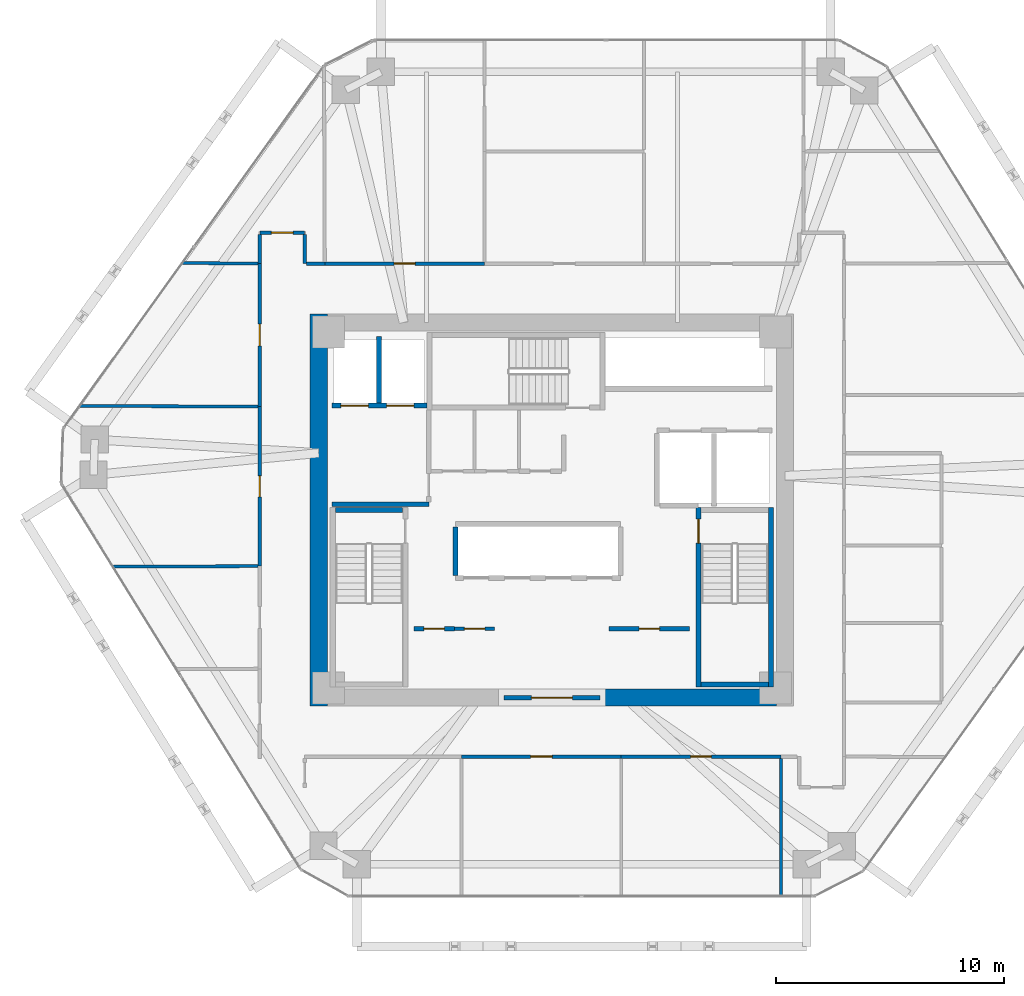
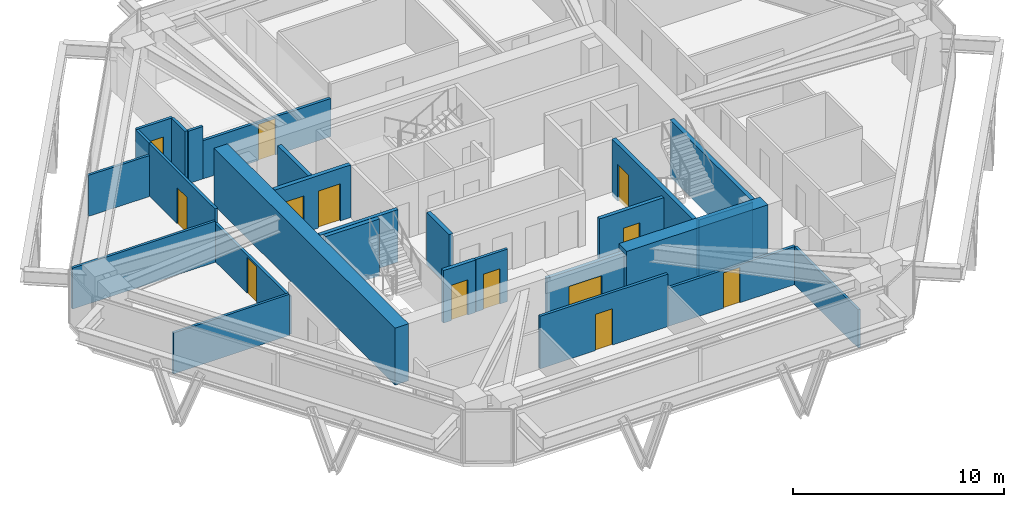
# One storey, part 10 of 14: 27 walls, 13 doors, 13 openings.
"""IFC4 building model written with IfcOpenShell, lengths in metres."""

from ifc_helpers import new_model, si_unit, direction, frame, frame_2d, origin, place, context, subcontext, project, spatial, rectangle, extrude, source, transform, mapped, material, layer, layer_set, type_object, type_shapes, element, fill, save


model = new_model("IFC4")

# Units and contexts
model_context = context("Model", 3, precision=1e-05, world=origin(), true_north=direction((0.0, 1.0)))
body_context = subcontext(model_context, "Body", "Model", "MODEL_VIEW")
ifc_project = project(units=[si_unit("LENGTHUNIT", "METRE"), si_unit("AREAUNIT", "SQUARE_METRE"), si_unit("VOLUMEUNIT", "CUBIC_METRE"), si_unit("PLANEANGLEUNIT", "RADIAN"), si_unit("MASSUNIT", "GRAM", prefix="KILO")], contexts=[model_context])

# Site, building, storey
site_placement = place(None, origin())
site = spatial("IfcSite", under=ifc_project, at=site_placement, CompositionType="ELEMENT")
building_placement = place(site_placement, origin())
building = spatial("IfcBuilding", under=site, at=building_placement, Name="Durnholm Broadcast Tower", CompositionType="ELEMENT")
storey_placement = place(building_placement, frame((0.0, 0.0, 107.39990234375)))
storey = spatial("IfcBuildingStorey", under=building, at=storey_placement, Name="L28", CompositionType="ELEMENT", Elevation=107.39990234375)

# Walls
ifc_material_1 = material(Name="Concrete C70/85", Category="concrete")
ifc_layer_1 = layer(ifc_material_1, 0.75)
ifc_layer_set_1 = layer_set([ifc_layer_1], Name="Concrete C70/85")
wall_type_1 = type_object("IfcWallType", Name="WALL-CW-750", PredefinedType="SHEAR", material=ifc_layer_set_1)
wall_1_placement = place(storey_placement, frame((-10.22509765625, -8.60009765625, 0.0), z_axis=(0.0, 0.0, 1.0), x_axis=(0.0, 1.0, 0.0)))
element("IfcWall", 1, at=wall_1_placement, inside=storey, type_object=wall_type_1, Name="L28 central core shear wall CW-WEST", PredefinedType="SHEAR", context=body_context, shape_type="SweptSolid", body=[
    extrude(rectangle(XDim=17.2001953125, YDim=0.75, at=frame_2d((8.60009765625, 0.0))), origin(), (0.0, 0.0, 1.0), 3.300048828125),
])
wall_2_placement = place(storey_placement, frame((2.10009765625, -8.22509765625, 0.0), z_axis=(0.0, 0.0, 1.0), x_axis=(1.0, 0.0, 0.0)))
element("IfcWall", 2, at=wall_2_placement, inside=storey, type_object=wall_type_1, Name="L28 central core shear wall CW-S2", PredefinedType="SHEAR", context=body_context, shape_type="SweptSolid", body=[
    extrude(rectangle(XDim=7.75, YDim=0.75, at=frame_2d((3.875, 0.0))), origin(), (0.0, 0.0, 1.0), 3.300048828125),
])

# Wall, opening, door
ifc_material_2 = material(Name="Fire-Rated Gypsum Shaftwall", Category="concrete")
ifc_layer_2 = layer(ifc_material_2, 0.199951171875)
ifc_layer_set_2 = layer_set([ifc_layer_2], Name="Fire-Rated Gypsum Shaftwall")
wall_type_2 = type_object("IfcWallType", Name="WALL-LOB-200", PredefinedType="SOLIDWALL", material=ifc_layer_set_2)
wall_3_placement = place(storey_placement, frame((-2.10009765625, -8.22509765625, 0.0), z_axis=(0.0, 0.0, 1.0), x_axis=(1.0, 0.0, 0.0)))
wall_3 = element("IfcWall", 3, at=wall_3_placement, inside=storey, type_object=wall_type_2, Name="L28 south core lobby fire screen", PredefinedType="SOLIDWALL", context=body_context, shape_type="SweptSolid", body=[
    extrude(rectangle(XDim=4.2001953125, YDim=0.199951171875, at=frame_2d((2.10009765625, 0.0))), origin(), (0.0, 0.0, 1.0), 3.045166015625),
])
opening_1_placement = place(wall_3_placement, frame((1.199951171875, 0.0, 0.0)))
opening_1 = element("IfcOpeningElement", 4, at=opening_1_placement, cuts=wall_3, Name="Opening DP-60", PredefinedType="OPENING", context=body_context, shape_type="SweptSolid", body=[
    extrude(rectangle(XDim=1.800048828125, YDim=2.14990234375, at=frame_2d((0.89990234375, 1.074951171875))), frame((0.0, 0.10986328125, 0.0), z_axis=(0.0, -1.0, 0.0), x_axis=(1.0, 0.0, 0.0)), (0.0, 0.0, 1.0), 0.219970703125),
])
ifc_material_3 = material(Name="Fire-Rated Double Corridor Door", Category="steel")
ifc_layer_3 = layer(ifc_material_3, 0.050048828125)
ifc_layer_set_3 = layer_set([ifc_layer_3], Name="Fire-Rated Double Corridor Door")
door_type_1 = type_object("IfcDoorType", Name="DOOR-PAIR-FD60", OperationType="DOUBLE_DOOR_SINGLE_SWING", PredefinedType="DOOR", material=ifc_layer_set_3)
shared_shape_1 = source(origin(), body_context, "Body", "SweptSolid", [
    extrude(rectangle(XDim=1.800048828125, YDim=2.14990234375, at=frame_2d((0.89990234375, 1.074951171875))), frame((0.0, 0.02490234375, 0.0), z_axis=(0.0, -1.0, 0.0), x_axis=(1.0, 0.0, 0.0)), (0.0, 0.0, 1.0), 0.050048828125),
])
type_shapes(door_type_1, [shared_shape_1])
door_1_placement = place(opening_1_placement, origin())
door_1 = element("IfcDoor", 5, at=door_1_placement, inside=storey, type_object=door_type_1, Name="L28 south core lobby double fire door", OperationType="DOUBLE_DOOR_SINGLE_SWING", OverallHeight=2.14990234375, OverallWidth=1.800048828125, PredefinedType="DOOR", context=body_context, shape_type="MappedRepresentation", body=[
    mapped(shared_shape_1, transform((0.0, 0.0, 0.0), x_axis=(1.0, 0.0, 0.0), y_axis=(0.0, 1.0, 0.0), z_axis=(0.0, 0.0, 1.0), scale=1.0)),
])
fill(opening_1, door_1)

# Wall
wall_4_placement = place(storey_placement, frame((-9.64990234375, 0.25, 0.0), z_axis=(0.0, 0.0, 1.0), x_axis=(1.0, 0.0, 0.0)))
element("IfcWall", 6, at=wall_4_placement, inside=storey, type_object=wall_type_2, Name="L28 Fire Service Access Elevator lobby south wall", PredefinedType="SOLIDWALL", context=body_context, shape_type="SweptSolid", body=[
    extrude(rectangle(XDim=4.27001953125, YDim=0.199951171875, at=frame_2d((2.135009765625, 0.0))), origin(), (0.0, 0.0, 1.0), 3.045166015625),
])

# Wall, opening, door
wall_5_placement = place(storey_placement, frame((-6.0400390625, -5.2099609375, 0.0), z_axis=(0.0, 0.0, 1.0), x_axis=(1.0, 0.0, 0.0)))
wall_5 = element("IfcWall", 7, at=wall_5_placement, inside=storey, type_object=wall_type_2, Name="L28 Media Fiber Patch Room corridor partition", PredefinedType="SOLIDWALL", context=body_context, shape_type="SweptSolid", body=[
    extrude(rectangle(XDim=1.760009765625, YDim=0.199951171875, at=frame_2d((0.8798828125, 0.0))), origin(), (0.0, 0.0, 1.0), 3.045166015625),
])
opening_2_placement = place(wall_5_placement, frame((0.429931640625, 0.0, 0.0)))
opening_2 = element("IfcOpeningElement", 8, at=opening_2_placement, cuts=wall_5, Name="Opening DC-60R", PredefinedType="OPENING", context=body_context, shape_type="SweptSolid", body=[
    extrude(rectangle(XDim=0.89990234375, YDim=2.050048828125, at=frame_2d((0.449951171875, 1.02490234375))), frame((0.0, 0.10986328125, 0.0), z_axis=(0.0, -1.0, 0.0), x_axis=(1.0, 0.0, 0.0)), (0.0, 0.0, 1.0), 0.219970703125),
])
ifc_material_4 = material(Name="Fire-Rated Core Service Door", Category="steel")
ifc_layer_4 = layer(ifc_material_4, 0.050048828125)
ifc_layer_set_4 = layer_set([ifc_layer_4], Name="Fire-Rated Core Service Door")
door_type_2 = type_object("IfcDoorType", Name="DOOR-CORE-FD60-R", OperationType="NOTDEFINED", PredefinedType="DOOR", material=ifc_layer_set_4)
shared_shape_2 = source(origin(), body_context, "Body", "SweptSolid", [
    extrude(rectangle(XDim=0.89990234375, YDim=2.050048828125, at=frame_2d((0.449951171875, 1.02490234375))), frame((0.0, 0.02490234375, 0.0), z_axis=(0.0, -1.0, 0.0), x_axis=(1.0, 0.0, 0.0)), (0.0, 0.0, 1.0), 0.050048828125),
])
type_shapes(door_type_2, [shared_shape_2])
door_2_placement = place(opening_2_placement, origin())
door_2 = element("IfcDoor", 9, at=door_2_placement, inside=storey, type_object=door_type_2, Name="L28 Media Fiber Patch Room entrance door", OperationType="SINGLE_SWING_RIGHT", OverallHeight=2.050048828125, OverallWidth=0.89990234375, PredefinedType="DOOR", context=body_context, shape_type="MappedRepresentation", body=[
    mapped(shared_shape_2, transform((0.0, 0.0, 0.0), x_axis=(1.0, 0.0, 0.0), y_axis=(0.0, 1.0, 0.0), z_axis=(0.0, 0.0, 1.0), scale=1.0)),
])
fill(opening_2, door_2)

wall_6_placement = place(storey_placement, frame((2.510009765625, -5.2099609375, 0.0), z_axis=(0.0, 0.0, 1.0), x_axis=(1.0, 0.0, 0.0)))
wall_6 = element("IfcWall", 10, at=wall_6_placement, inside=storey, type_object=wall_type_2, Name="L28 Telemetry Control Closet corridor partition", PredefinedType="SOLIDWALL", context=body_context, shape_type="SweptSolid", body=[
    extrude(rectangle(XDim=3.530029296875, YDim=0.199951171875, at=frame_2d((1.76513671875, 0.0))), origin(), (0.0, 0.0, 1.0), 3.045166015625),
])
opening_3_placement = place(wall_6_placement, frame((1.31494140625, 0.0, 0.0)))
opening_3 = element("IfcOpeningElement", 11, at=opening_3_placement, cuts=wall_6, Name="Opening DC-60R", PredefinedType="OPENING", context=body_context, shape_type="SweptSolid", body=[
    extrude(rectangle(XDim=0.89990234375, YDim=2.050048828125, at=frame_2d((0.449951171875, 1.02490234375))), frame((0.0, 0.10986328125, 0.0), z_axis=(0.0, -1.0, 0.0), x_axis=(1.0, 0.0, 0.0)), (0.0, 0.0, 1.0), 0.219970703125),
])
door_3_placement = place(opening_3_placement, origin())
door_3 = element("IfcDoor", 12, at=door_3_placement, inside=storey, type_object=door_type_2, Name="L28 Telemetry Control Closet entrance door", OperationType="SINGLE_SWING_RIGHT", OverallHeight=2.050048828125, OverallWidth=0.89990234375, PredefinedType="DOOR", context=body_context, shape_type="MappedRepresentation", body=[
    mapped(shared_shape_2, transform((0.0, 0.0, 0.0), x_axis=(1.0, 0.0, 0.0), y_axis=(0.0, 1.0, 0.0), z_axis=(0.0, 0.0, 1.0), scale=1.0)),
])
fill(opening_3, door_3)

# Walls
ifc_material_5 = material(Name="Gypsum Metal Stud Partition", Category="concrete")
ifc_layer_5 = layer(ifc_material_5, 0.135009765625)
ifc_layer_set_5 = layer_set([ifc_layer_5], Name="Gypsum Metal Stud Partition")
wall_type_3 = type_object("IfcWallType", Name="WALL-PART-135", PredefinedType="PARTITIONING", material=ifc_layer_set_5)
wall_7_placement = place(storey_placement, frame((-12.888916015625, 10.810546875, 0.0), z_axis=(0.0, 0.0, 1.0), x_axis=(-0.999976657862, 0.006832549348, 0.0)))
element("IfcWall", 13, at=wall_7_placement, inside=storey, type_object=wall_type_3, Name="L28 room dividing partition 10.24", PredefinedType="PARTITIONING", context=body_context, shape_type="SweptSolid", body=[
    extrude(rectangle(XDim=3.322998046875, YDim=0.135009765625, at=frame_2d((1.66162109375, 0.0))), origin(), (0.0, 0.0, 1.0), 2.380126953125),
])
wall_8_placement = place(storey_placement, frame((10.0400390625, -10.888916015625, 0.0), z_axis=(0.0, 0.0, 1.0), x_axis=(0.0, -1.0, 0.0)))
element("IfcWall", 14, at=wall_8_placement, inside=storey, type_object=wall_type_3, Name="L28 room dividing partition 19.20", PredefinedType="PARTITIONING", context=body_context, shape_type="SweptSolid", body=[
    extrude(rectangle(XDim=6.048095703125, YDim=0.135009765625, at=frame_2d((3.02392578125, 0.0))), origin(), (0.0, 0.0, 1.0), 2.212158203125),
])
wall_9_placement = place(storey_placement, frame((-19.255126953125, -2.481201171875, 0.0), z_axis=(0.0, 0.0, 1.0), x_axis=(0.999994561471, 0.003298033912, 0.0)))
element("IfcWall", 15, at=wall_9_placement, inside=storey, type_object=wall_type_3, Name="L28 room dividing partition 22.23", PredefinedType="PARTITIONING", context=body_context, shape_type="SweptSolid", body=[
    extrude(rectangle(XDim=6.3662109375, YDim=0.135009765625, at=frame_2d((3.18310546875, 0.0))), origin(), (0.0, 0.0, 1.0), 2.380126953125),
])
wall_10_placement = place(storey_placement, frame((-20.71630859375, 4.563232421875, 0.0), z_axis=(0.0, 0.0, 1.0), x_axis=(0.999995701977, -0.002931898443, 0.0)))
element("IfcWall", 16, at=wall_10_placement, inside=storey, type_object=wall_type_3, Name="L28 room dividing partition 23.24", PredefinedType="PARTITIONING", context=body_context, shape_type="SweptSolid", body=[
    extrude(rectangle(XDim=7.827392578125, YDim=0.135009765625, at=frame_2d((3.91357421875, 0.0))), origin(), (0.0, 0.0, 1.0), 2.380126953125),
])

# Wall, opening, door
ifc_material_6 = material(Name="Acoustic Gypsum Stud Partition", Category="concrete")
ifc_layer_6 = layer(ifc_material_6, 0.14990234375)
ifc_layer_set_6 = layer_set([ifc_layer_6], Name="Acoustic Gypsum Stud Partition")
wall_type_4 = type_object("IfcWallType", Name="WALL-PART-150", PredefinedType="PARTITIONING", material=ifc_layer_set_6)
wall_11_placement = place(storey_placement, frame((-4.260009765625, -5.2099609375, 0.0), z_axis=(0.0, 0.0, 1.0), x_axis=(1.0, 0.0, 0.0)))
wall_11 = element("IfcWall", 17, at=wall_11_placement, inside=storey, type_object=wall_type_4, Name="L28 Copy and Print Room corridor partition", PredefinedType="PARTITIONING", context=body_context, shape_type="SweptSolid", body=[
    extrude(rectangle(XDim=1.75, YDim=0.14990234375, at=frame_2d((0.875, 0.0))), origin(), (0.0, 0.0, 1.0), 3.045166015625),
])
opening_4_placement = place(wall_11_placement, frame((0.425048828125, 0.0, 0.0)))
opening_4 = element("IfcOpeningElement", 18, at=opening_4_placement, cuts=wall_11, Name="Opening DC-60L", PredefinedType="OPENING", context=body_context, shape_type="SweptSolid", body=[
    extrude(rectangle(XDim=0.89990234375, YDim=2.050048828125, at=frame_2d((0.449951171875, 1.02490234375))), frame((0.0, 0.0849609375, 0.0), z_axis=(0.0, -1.0, 0.0), x_axis=(1.0, 0.0, 0.0)), (0.0, 0.0, 1.0), 0.169921875),
])
ifc_layer_7 = layer(ifc_material_4, 0.050048828125)
ifc_layer_set_7 = layer_set([ifc_layer_7], Name="Fire-Rated Core Service Door")
door_type_3 = type_object("IfcDoorType", Name="DOOR-CORE-FD60-L", OperationType="NOTDEFINED", PredefinedType="DOOR", material=ifc_layer_set_7)
shared_shape_3 = source(origin(), body_context, "Body", "SweptSolid", [
    extrude(rectangle(XDim=0.89990234375, YDim=2.050048828125, at=frame_2d((0.449951171875, 1.02490234375))), frame((0.0, 0.02490234375, 0.0), z_axis=(0.0, -1.0, 0.0), x_axis=(1.0, 0.0, 0.0)), (0.0, 0.0, 1.0), 0.050048828125),
])
type_shapes(door_type_3, [shared_shape_3])
door_4_placement = place(opening_4_placement, origin())
door_4 = element("IfcDoor", 19, at=door_4_placement, inside=storey, type_object=door_type_3, Name="L28 Copy and Print Room entrance door", OperationType="SINGLE_SWING_LEFT", OverallHeight=2.050048828125, OverallWidth=0.89990234375, PredefinedType="DOOR", context=body_context, shape_type="MappedRepresentation", body=[
    mapped(shared_shape_3, transform((0.0, 0.0, 0.0), x_axis=(1.0, 0.0, 0.0), y_axis=(0.0, 1.0, 0.0), z_axis=(0.0, 0.0, 1.0), scale=1.0)),
])
fill(opening_4, door_4)

wall_12_placement = place(storey_placement, frame((-10.840087890625, 12.159912109375, 0.0), z_axis=(0.0, 0.0, 1.0), x_axis=(-1.0, 0.0, 0.0)))
wall_12 = element("IfcWall", 20, at=wall_12_placement, inside=storey, type_object=wall_type_4, Name="L28 VFX Office 1 corridor partition", PredefinedType="PARTITIONING", context=body_context, shape_type="SweptSolid", body=[
    extrude(rectangle(XDim=1.969970703125, YDim=0.14990234375, at=frame_2d((0.98486328125, 0.0))), origin(), (0.0, 0.0, 1.0), 3.045166015625),
])
opening_5_placement = place(wall_12_placement, frame((0.510009765625, 0.0, 0.0)))
opening_5 = element("IfcOpeningElement", 21, at=opening_5_placement, cuts=wall_12, Name="Opening DR-95L", PredefinedType="OPENING", context=body_context, shape_type="SweptSolid", body=[
    extrude(rectangle(XDim=0.949951171875, YDim=2.10009765625, at=frame_2d((0.47509765625, 1.050048828125))), frame((0.0, 0.0849609375, 0.0), z_axis=(0.0, -1.0, 0.0), x_axis=(1.0, 0.0, 0.0)), (0.0, 0.0, 1.0), 0.169921875),
])
ifc_material_7 = material(Name="Acoustic Oak Veneer Timber Door", Category="wood")
ifc_layer_8 = layer(ifc_material_7, 0.050048828125)
ifc_layer_set_8 = layer_set([ifc_layer_8], Name="Acoustic Oak Veneer Timber Door")
door_type_4 = type_object("IfcDoorType", Name="DOOR-RM-950L", OperationType="NOTDEFINED", PredefinedType="DOOR", material=ifc_layer_set_8)
shared_shape_4 = source(origin(), body_context, "Body", "SweptSolid", [
    extrude(rectangle(XDim=0.949951171875, YDim=2.10009765625, at=frame_2d((0.47509765625, 1.050048828125))), frame((0.0, 0.02490234375, 0.0), z_axis=(0.0, -1.0, 0.0), x_axis=(1.0, 0.0, 0.0)), (0.0, 0.0, 1.0), 0.050048828125),
])
type_shapes(door_type_4, [shared_shape_4])
door_5_placement = place(opening_5_placement, origin())
door_5 = element("IfcDoor", 22, at=door_5_placement, inside=storey, type_object=door_type_4, Name="L28 VFX Office 1 entrance door", OperationType="SINGLE_SWING_LEFT", OverallHeight=2.10009765625, OverallWidth=0.949951171875, PredefinedType="DOOR", context=body_context, shape_type="MappedRepresentation", body=[
    mapped(shared_shape_4, transform((0.0, 0.0, 0.0), x_axis=(1.0, 0.0, 0.0), y_axis=(0.0, 1.0, 0.0), z_axis=(0.0, 0.0, 1.0), scale=1.0)),
])
fill(opening_5, door_5)

# Walls
for number, where, z_axis, x_axis, name in (
    (23, (-10.840087890625, 10.81005859375, 0.0), (0.0, 0.0, 1.0), (0.0, 1.0, 0.0), "L28 VFX Office 1 corridor partition"),
    (24, (-12.81005859375, 12.0810546875, 0.0), (0.0, 0.0, 1.0), (0.0, -1.0, 0.0), "L28 VFX Office 1 corridor partition"),
):
    element("IfcWall", number, at=place(storey_placement, frame(where, z_axis=z_axis, x_axis=x_axis)), inside=storey, type_object=wall_type_4, Name=name, PredefinedType="PARTITIONING", context=body_context, shape_type="SweptSolid", body=[
        extrude(rectangle(XDim=1.27099609375, YDim=0.14990234375, at=frame_2d((0.635498046875, 0.0))), origin(), (0.0, 0.0, 1.0), 3.045166015625),
    ])
wall_13_placement = place(storey_placement, frame((-9.9599609375, 10.81005859375, 0.0), z_axis=(0.0, 0.0, 1.0), x_axis=(-1.0, 0.0, 0.0)))
element("IfcWall", 25, at=wall_13_placement, inside=storey, type_object=wall_type_4, Name="L28 VFX Office 1 corridor partition", PredefinedType="PARTITIONING", context=body_context, shape_type="SweptSolid", body=[
    extrude(rectangle(XDim=0.801025390625, YDim=0.14990234375, at=frame_2d((0.400390625, 0.0))), origin(), (0.0, 0.0, 1.0), 3.045166015625),
])

# Wall, opening, door
wall_14_placement = place(storey_placement, frame((-2.9599609375, 10.81005859375, 0.0), z_axis=(0.0, 0.0, 1.0), x_axis=(-1.0, 0.0, 0.0)))
wall_14 = element("IfcWall", 26, at=wall_14_placement, inside=storey, type_object=wall_type_4, Name="L28 VFX Office 2 corridor partition", PredefinedType="PARTITIONING", context=body_context, shape_type="SweptSolid", body=[
    extrude(rectangle(XDim=7.0, YDim=0.14990234375, at=frame_2d((3.5, 0.0))), origin(), (0.0, 0.0, 1.0), 2.212158203125),
])
opening_6_placement = place(wall_14_placement, frame((3.0400390625, 0.0, 0.0)))
opening_6 = element("IfcOpeningElement", 27, at=opening_6_placement, cuts=wall_14, Name="Opening DR-92R", PredefinedType="OPENING", context=body_context, shape_type="SweptSolid", body=[
    extrude(rectangle(XDim=0.919921875, YDim=2.10009765625, at=frame_2d((0.4599609375, 1.050048828125))), frame((0.0, 0.0849609375, 0.0), z_axis=(0.0, -1.0, 0.0), x_axis=(1.0, 0.0, 0.0)), (0.0, 0.0, 1.0), 0.169921875),
])
ifc_material_8 = material(Name="Oak Veneer Office Door", Category="wood")
ifc_layer_9 = layer(ifc_material_8, 0.050048828125)
ifc_layer_set_9 = layer_set([ifc_layer_9], Name="Oak Veneer Office Door")
door_type_5 = type_object("IfcDoorType", Name="DOOR-RM-920R", OperationType="NOTDEFINED", PredefinedType="DOOR", material=ifc_layer_set_9)
shared_shape_5 = source(origin(), body_context, "Body", "SweptSolid", [
    extrude(rectangle(XDim=0.919921875, YDim=2.10009765625, at=frame_2d((0.4599609375, 1.050048828125))), frame((0.0, 0.02490234375, 0.0), z_axis=(0.0, -1.0, 0.0), x_axis=(1.0, 0.0, 0.0)), (0.0, 0.0, 1.0), 0.050048828125),
])
type_shapes(door_type_5, [shared_shape_5])
door_6_placement = place(opening_6_placement, origin())
door_6 = element("IfcDoor", 28, at=door_6_placement, inside=storey, type_object=door_type_5, Name="L28 VFX Office 2 entrance door", OperationType="SINGLE_SWING_RIGHT", OverallHeight=2.10009765625, OverallWidth=0.919921875, PredefinedType="DOOR", context=body_context, shape_type="MappedRepresentation", body=[
    mapped(shared_shape_5, transform((0.0, 0.0, 0.0), x_axis=(1.0, 0.0, 0.0), y_axis=(0.0, 1.0, 0.0), z_axis=(0.0, 0.0, 1.0), scale=1.0)),
])
fill(opening_6, door_6)

wall_15_placement = place(storey_placement, frame((-3.9599609375, -10.81005859375, 0.0), z_axis=(0.0, 0.0, 1.0), x_axis=(1.0, 0.0, 0.0)))
wall_15 = element("IfcWall", 29, at=wall_15_placement, inside=storey, type_object=wall_type_4, Name="L28 Client Meeting Room corridor partition", PredefinedType="PARTITIONING", context=body_context, shape_type="SweptSolid", body=[
    extrude(rectangle(XDim=7.0, YDim=0.14990234375, at=frame_2d((3.5, 0.0))), origin(), (0.0, 0.0, 1.0), 3.045166015625),
])
opening_7_placement = place(wall_15_placement, frame((3.02490234375, 0.0, 0.0)))
opening_7 = element("IfcOpeningElement", 30, at=opening_7_placement, cuts=wall_15, Name="Opening DR-95L", PredefinedType="OPENING", context=body_context, shape_type="SweptSolid", body=[
    extrude(rectangle(XDim=0.949951171875, YDim=2.10009765625, at=frame_2d((0.47509765625, 1.050048828125))), frame((0.0, 0.0849609375, 0.0), z_axis=(0.0, -1.0, 0.0), x_axis=(1.0, 0.0, 0.0)), (0.0, 0.0, 1.0), 0.169921875),
])
door_7_placement = place(opening_7_placement, origin())
door_7 = element("IfcDoor", 31, at=door_7_placement, inside=storey, type_object=door_type_4, Name="L28 Client Meeting Room entrance door", OperationType="SINGLE_SWING_LEFT", OverallHeight=2.10009765625, OverallWidth=0.949951171875, PredefinedType="DOOR", context=body_context, shape_type="MappedRepresentation", body=[
    mapped(shared_shape_4, transform((0.0, 0.0, 0.0), x_axis=(1.0, 0.0, 0.0), y_axis=(0.0, 1.0, 0.0), z_axis=(0.0, 0.0, 1.0), scale=1.0)),
])
fill(opening_7, door_7)

wall_16_placement = place(storey_placement, frame((3.0400390625, -10.81005859375, 0.0), z_axis=(0.0, 0.0, 1.0), x_axis=(1.0, 0.0, 0.0)))
wall_16 = element("IfcWall", 32, at=wall_16_placement, inside=storey, type_object=wall_type_4, Name="L28 Tape Store corridor partition", PredefinedType="PARTITIONING", context=body_context, shape_type="SweptSolid", body=[
    extrude(rectangle(XDim=7.0, YDim=0.14990234375, at=frame_2d((3.5, 0.0))), origin(), (0.0, 0.0, 1.0), 2.212158203125),
])
opening_8_placement = place(wall_16_placement, frame((3.050048828125, 0.0, 0.0)))
opening_8 = element("IfcOpeningElement", 33, at=opening_8_placement, cuts=wall_16, Name="Opening DC-60R", PredefinedType="OPENING", context=body_context, shape_type="SweptSolid", body=[
    extrude(rectangle(XDim=0.89990234375, YDim=2.050048828125, at=frame_2d((0.449951171875, 1.02490234375))), frame((0.0, 0.0849609375, 0.0), z_axis=(0.0, -1.0, 0.0), x_axis=(1.0, 0.0, 0.0)), (0.0, 0.0, 1.0), 0.169921875),
])
door_8_placement = place(opening_8_placement, origin())
door_8 = element("IfcDoor", 34, at=door_8_placement, inside=storey, type_object=door_type_2, Name="L28 Tape Store entrance door", OperationType="SINGLE_SWING_RIGHT", OverallHeight=2.050048828125, OverallWidth=0.89990234375, PredefinedType="DOOR", context=body_context, shape_type="MappedRepresentation", body=[
    mapped(shared_shape_2, transform((0.0, 0.0, 0.0), x_axis=(1.0, 0.0, 0.0), y_axis=(0.0, 1.0, 0.0), z_axis=(0.0, 0.0, 1.0), scale=1.0)),
])
fill(opening_8, door_8)

wall_17_placement = place(storey_placement, frame((-12.81005859375, 4.5400390625, 0.0), z_axis=(0.0, 0.0, 1.0), x_axis=(0.0, -1.0, 0.0)))
wall_17 = element("IfcWall", 35, at=wall_17_placement, inside=storey, type_object=wall_type_4, Name="L28 Atmos Mix Office corridor partition", PredefinedType="PARTITIONING", context=body_context, shape_type="SweptSolid", body=[
    extrude(rectangle(XDim=7.0, YDim=0.14990234375, at=frame_2d((3.5, 0.0))), origin(), (0.0, 0.0, 1.0), 2.212158203125),
])
opening_9_placement = place(wall_17_placement, frame((3.0400390625, 0.0, 0.0)))
opening_9 = element("IfcOpeningElement", 36, at=opening_9_placement, cuts=wall_17, Name="Opening DR-92R", PredefinedType="OPENING", context=body_context, shape_type="SweptSolid", body=[
    extrude(rectangle(XDim=0.919921875, YDim=2.10009765625, at=frame_2d((0.4599609375, 1.050048828125))), frame((0.0, 0.0849609375, 0.0), z_axis=(0.0, -1.0, 0.0), x_axis=(1.0, 0.0, 0.0)), (0.0, 0.0, 1.0), 0.169921875),
])
door_9_placement = place(opening_9_placement, origin())
door_9 = element("IfcDoor", 37, at=door_9_placement, inside=storey, type_object=door_type_5, Name="L28 Atmos Mix Office entrance door", OperationType="SINGLE_SWING_RIGHT", OverallHeight=2.10009765625, OverallWidth=0.919921875, PredefinedType="DOOR", context=body_context, shape_type="MappedRepresentation", body=[
    mapped(shared_shape_5, transform((0.0, 0.0, 0.0), x_axis=(1.0, 0.0, 0.0), y_axis=(0.0, 1.0, 0.0), z_axis=(0.0, 0.0, 1.0), scale=1.0)),
])
fill(opening_9, door_9)

wall_18_placement = place(storey_placement, frame((-12.81005859375, 10.81005859375, 0.0), z_axis=(0.0, 0.0, 1.0), x_axis=(0.0, -1.0, 0.0)))
wall_18 = element("IfcWall", 38, at=wall_18_placement, inside=storey, type_object=wall_type_4, Name="L28 Colorist Office corridor partition", PredefinedType="PARTITIONING", context=body_context, shape_type="SweptSolid", body=[
    extrude(rectangle(XDim=6.27001953125, YDim=0.14990234375, at=frame_2d((3.135009765625, 0.0))), origin(), (0.0, 0.0, 1.0), 3.045166015625),
])
opening_10_placement = place(wall_18_placement, frame((2.659912109375, 0.0, 0.0)))
opening_10 = element("IfcOpeningElement", 39, at=opening_10_placement, cuts=wall_18, Name="Opening DR-95L", PredefinedType="OPENING", context=body_context, shape_type="SweptSolid", body=[
    extrude(rectangle(XDim=0.949951171875, YDim=2.10009765625, at=frame_2d((0.47509765625, 1.050048828125))), frame((0.0, 0.0849609375, 0.0), z_axis=(0.0, -1.0, 0.0), x_axis=(1.0, 0.0, 0.0)), (0.0, 0.0, 1.0), 0.169921875),
])
door_10_placement = place(opening_10_placement, origin())
door_10 = element("IfcDoor", 40, at=door_10_placement, inside=storey, type_object=door_type_4, Name="L28 Colorist Office entrance door", OperationType="SINGLE_SWING_LEFT", OverallHeight=2.10009765625, OverallWidth=0.949951171875, PredefinedType="DOOR", context=body_context, shape_type="MappedRepresentation", body=[
    mapped(shared_shape_4, transform((0.0, 0.0, 0.0), x_axis=(1.0, 0.0, 0.0), y_axis=(0.0, 1.0, 0.0), z_axis=(0.0, 0.0, 1.0), scale=1.0)),
])
fill(opening_10, door_10)

# Wall, openings, doors
ifc_material_9 = material(Name="Concrete Blockwork C30/37", Category="masonry")
ifc_layer_10 = layer(ifc_material_9, 0.219970703125)
ifc_layer_set_10 = layer_set([ifc_layer_10], Name="Concrete Blockwork C30/37")
wall_type_5 = type_object("IfcWallType", Name="WALL-SHAFT-220", PredefinedType="SOLIDWALL", material=ifc_layer_set_10)
wall_19_placement = place(storey_placement, frame((-9.64990234375, 4.580078125, 0.0), z_axis=(0.0, 0.0, 1.0), x_axis=(1.0, 0.0, 0.0)))
wall_19 = element("IfcWall", 41, at=wall_19_placement, inside=storey, type_object=wall_type_5, Name="L28 FSAE hoistway front fire wall", PredefinedType="SOLIDWALL", context=body_context, shape_type="SweptSolid", body=[
    extrude(rectangle(XDim=4.1748046875, YDim=0.219970703125, at=frame_2d((2.08740234375, 0.0))), origin(), (0.0, 0.0, 1.0), 3.045166015625),
])
opening_11_placement = place(wall_19_placement, frame((0.39990234375, 0.0, 0.0)))
opening_11 = element("IfcOpeningElement", 42, at=opening_11_placement, cuts=wall_19, Name="Opening LD-FSAE-2", PredefinedType="OPENING", context=body_context, shape_type="SweptSolid", body=[
    extrude(rectangle(XDim=1.199951171875, YDim=2.14990234375, at=frame_2d((0.60009765625, 1.074951171875))), frame((0.0, 0.1201171875, 0.0), z_axis=(0.0, -1.0, 0.0), x_axis=(1.0, 0.0, 0.0)), (0.0, 0.0, 1.0), 0.239990234375),
])
opening_12_placement = place(wall_19_placement, frame((2.39990234375, 0.0, 0.0)))
opening_12 = element("IfcOpeningElement", 43, at=opening_12_placement, cuts=wall_19, Name="Opening LD-FSAE-1", PredefinedType="OPENING", context=body_context, shape_type="SweptSolid", body=[
    extrude(rectangle(XDim=1.199951171875, YDim=2.14990234375, at=frame_2d((0.60009765625, 1.074951171875))), frame((0.0, 0.1201171875, 0.0), z_axis=(0.0, -1.0, 0.0), x_axis=(1.0, 0.0, 0.0)), (0.0, 0.0, 1.0), 0.239990234375),
])
ifc_material_10 = material(Name="Fire Service Access Sliding Landing Door", Category="steel")
ifc_layer_11 = layer(ifc_material_10, 0.050048828125)
ifc_layer_set_11 = layer_set([ifc_layer_11], Name="Fire Service Access Sliding Landing Door")
door_type_6 = type_object("IfcDoorType", Name="DOOR-LIFT-FSAE", OperationType="DOUBLE_DOOR_SLIDING", PredefinedType="DOOR", material=ifc_layer_set_11)
shared_shape_6 = source(origin(), body_context, "Body", "SweptSolid", [
    extrude(rectangle(XDim=1.199951171875, YDim=2.14990234375, at=frame_2d((0.60009765625, 1.074951171875))), frame((0.0, 0.02490234375, 0.0), z_axis=(0.0, -1.0, 0.0), x_axis=(1.0, 0.0, 0.0)), (0.0, 0.0, 1.0), 0.050048828125),
])
type_shapes(door_type_6, [shared_shape_6])
door_11_placement = place(opening_11_placement, origin())
door_11 = element("IfcDoor", 44, at=door_11_placement, inside=storey, type_object=door_type_6, Name="L28 Fire Service Access Elevator FSAE-2 sliding landing door", OperationType="DOUBLE_DOOR_SLIDING", OverallHeight=2.14990234375, OverallWidth=1.199951171875, PredefinedType="DOOR", context=body_context, shape_type="MappedRepresentation", body=[
    mapped(shared_shape_6, transform((0.0, 0.0, 0.0), x_axis=(1.0, 0.0, 0.0), y_axis=(0.0, 1.0, 0.0), z_axis=(0.0, 0.0, 1.0), scale=1.0)),
])
fill(opening_11, door_11)
door_12_placement = place(opening_12_placement, origin())
door_12 = element("IfcDoor", 45, at=door_12_placement, inside=storey, type_object=door_type_6, Name="L28 Fire Service Access Elevator FSAE-1 sliding landing door", OperationType="DOUBLE_DOOR_SLIDING", OverallHeight=2.14990234375, OverallWidth=1.199951171875, PredefinedType="DOOR", context=body_context, shape_type="MappedRepresentation", body=[
    mapped(shared_shape_6, transform((0.0, 0.0, 0.0), x_axis=(1.0, 0.0, 0.0), y_axis=(0.0, 1.0, 0.0), z_axis=(0.0, 0.0, 1.0), scale=1.0)),
])
fill(opening_12, door_12)

# Walls
wall_20_placement = place(storey_placement, frame((-7.580078125, 4.694091796875, 0.0), z_axis=(0.0, 0.0, 1.0), x_axis=(0.0, 1.0, 0.0)))
element("IfcWall", 46, at=wall_20_placement, inside=storey, type_object=wall_type_5, Name="L28 FSAE shaft divider wall", PredefinedType="SOLIDWALL", context=body_context, shape_type="SweptSolid", body=[
    extrude(rectangle(XDim=2.906005859375, YDim=0.219970703125, at=frame_2d((1.453125, 0.0))), origin(), (0.0, 0.0, 1.0), 3.045166015625),
])
wall_21_placement = place(storey_placement, frame((-4.219970703125, -2.865966796875, 0.0), z_axis=(0.0, 0.0, 1.0), x_axis=(0.0, 1.0, 0.0)))
element("IfcWall", 47, at=wall_21_placement, inside=storey, type_object=wall_type_5, Name="L28 mid-rise bank P2 west shaft wall", PredefinedType="SOLIDWALL", context=body_context, shape_type="SweptSolid", body=[
    extrude(rectangle(XDim=2.132080078125, YDim=0.219970703125, at=frame_2d((1.06591796875, 0.0))), origin(), (0.0, 0.0, 1.0), 3.045166015625),
])
ifc_material_11 = material(Name="Concrete C50/60", Category="concrete")
ifc_layer_12 = layer(ifc_material_11, 0.219970703125)
ifc_layer_set_12 = layer_set([ifc_layer_12], Name="Concrete C50/60")
wall_type_6 = type_object("IfcWallType", Name="WALL-SW-220", PredefinedType="SHEAR", material=ifc_layer_set_12)
wall_22_placement = place(storey_placement, frame((-6.5400390625, 0.010009765625, -0.239990234375), z_axis=(0.0, 0.0, 1.0), x_axis=(-1.0, 0.0, 0.0)))
element("IfcWall", 48, at=wall_22_placement, inside=storey, type_object=wall_type_6, Name="L28 stair ST-1 structural shaft wall N", PredefinedType="SHEAR", context=body_context, shape_type="SweptSolid", body=[
    extrude(rectangle(XDim=2.9599609375, YDim=0.219970703125, at=frame_2d((1.47998046875, 0.0))), origin(), (0.0, 0.0, 1.0), 3.300048828125),
])
wall_23_placement = place(storey_placement, frame((9.610107421875, -7.77001953125, -0.239990234375), z_axis=(0.0, 0.0, 1.0), x_axis=(0.0, 1.0, 0.0)))
element("IfcWall", 49, at=wall_23_placement, inside=storey, type_object=wall_type_6, Name="L28 stair ST-2 structural shaft wall E", PredefinedType="SHEAR", context=body_context, shape_type="SweptSolid", body=[
    extrude(rectangle(XDim=7.89013671875, YDim=0.219970703125, at=frame_2d((3.945068359375, 0.0))), origin(), (0.0, 0.0, 1.0), 3.300048828125),
])

# Wall, opening, door
wall_24_placement = place(storey_placement, frame((6.429931640625, 0.1201171875, -0.239990234375), z_axis=(0.0, 0.0, 1.0), x_axis=(0.0, -1.0, 0.0)))
wall_24 = element("IfcWall", 50, at=wall_24_placement, inside=storey, type_object=wall_type_6, Name="L28 stair ST-2 structural shaft wall W", PredefinedType="SHEAR", context=body_context, shape_type="SweptSolid", body=[
    extrude(rectangle(XDim=7.89013671875, YDim=0.219970703125, at=frame_2d((3.945068359375, 0.0))), origin(), (0.0, 0.0, 1.0), 3.300048828125),
])
opening_13_placement = place(wall_24_placement, frame((0.52001953125, 0.0, 0.0)))
opening_13 = element("IfcOpeningElement", 51, at=opening_13_placement, cuts=wall_24, Name="Opening DS-90R", PredefinedType="OPENING", context=body_context, shape_type="SweptSolid", body=[
    extrude(rectangle(XDim=1.050048828125, YDim=2.14990234375, at=frame_2d((0.52490234375, 1.074951171875))), frame((0.0, 0.1201171875, 0.0), z_axis=(0.0, -1.0, 0.0), x_axis=(1.0, 0.0, 0.0)), (0.0, 0.0, 1.0), 0.239990234375),
])
ifc_material_12 = material(Name="Fire-Rated Steel Door", Category="steel")
ifc_layer_13 = layer(ifc_material_12, 0.050048828125)
ifc_layer_set_13 = layer_set([ifc_layer_13], Name="Fire-Rated Steel Door")
door_type_7 = type_object("IfcDoorType", Name="DOOR-ST-FD90-R", OperationType="NOTDEFINED", PredefinedType="DOOR", material=ifc_layer_set_13)
shared_shape_7 = source(origin(), body_context, "Body", "SweptSolid", [
    extrude(rectangle(XDim=1.050048828125, YDim=2.14990234375, at=frame_2d((0.52490234375, 1.074951171875))), frame((0.0, 0.02490234375, 0.0), z_axis=(0.0, -1.0, 0.0), x_axis=(1.0, 0.0, 0.0)), (0.0, 0.0, 1.0), 0.050048828125),
])
type_shapes(door_type_7, [shared_shape_7])
door_13_placement = place(opening_13_placement, origin())
door_13 = element("IfcDoor", 52, at=door_13_placement, inside=storey, type_object=door_type_7, Name="L28 exit stair ST-2 fire door", OperationType="SINGLE_SWING_RIGHT", OverallHeight=2.14990234375, OverallWidth=1.050048828125, PredefinedType="DOOR", context=body_context, shape_type="MappedRepresentation", body=[
    mapped(shared_shape_7, transform((0.0, 0.0, 0.0), x_axis=(1.0, 0.0, 0.0), y_axis=(0.0, 1.0, 0.0), z_axis=(0.0, 0.0, 1.0), scale=1.0)),
])
fill(opening_13, door_13)

# Wall
wall_25_placement = place(storey_placement, frame((6.5400390625, -7.659912109375, -0.239990234375), z_axis=(0.0, 0.0, 1.0), x_axis=(1.0, 0.0, 0.0)))
element("IfcWall", 53, at=wall_25_placement, inside=storey, type_object=wall_type_6, Name="L28 stair ST-2 structural shaft wall S", PredefinedType="SHEAR", context=body_context, shape_type="SweptSolid", body=[
    extrude(rectangle(XDim=2.9599609375, YDim=0.219970703125, at=frame_2d((1.47998046875, 0.0))), origin(), (0.0, 0.0, 1.0), 3.300048828125),
])

save(model, "model.ifc")
